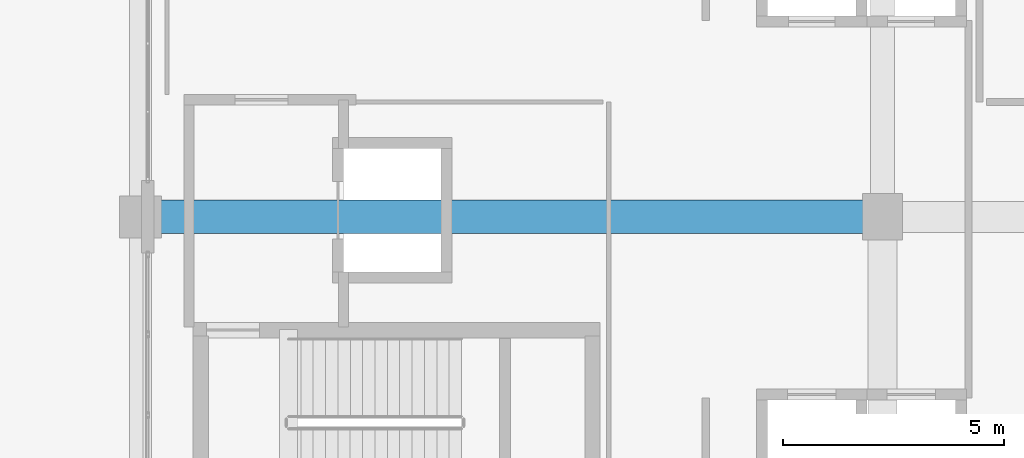
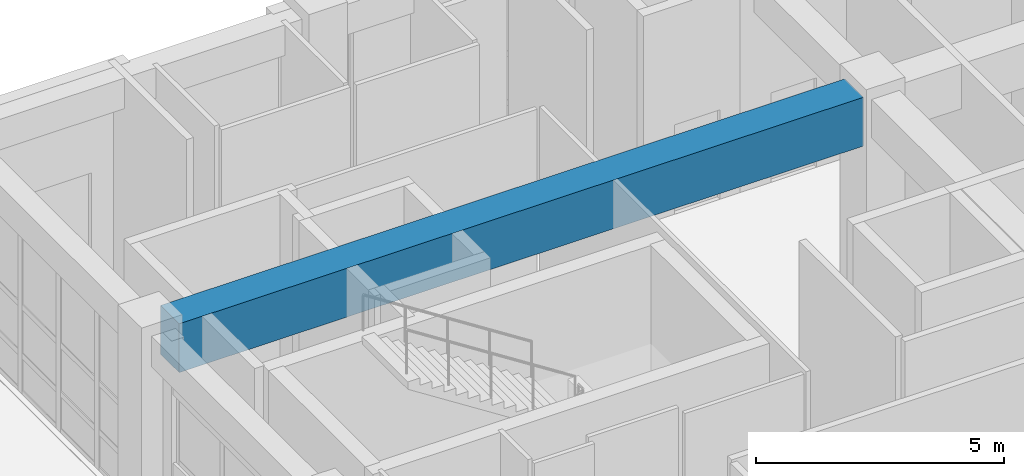
# One storey, part 57 of 148: 1 beam.
"""IFC4 building model written with IfcOpenShell, lengths in metres."""

from ifc_helpers import new_model, si_unit, direction, frame, origin, origin_2d, place, context, subcontext, project, spatial, rectangle, extrude, material, material_profile, profile_set, type_object, element, save


model = new_model("IFC4")

# Units and contexts
model_context = context("Model", 3, precision=1e-05, world=origin(), true_north=direction((0.0, 1.0)))
body_context = subcontext(model_context, "Body", "Model", "MODEL_VIEW")
ifc_project = project(units=[si_unit("LENGTHUNIT", "METRE"), si_unit("AREAUNIT", "SQUARE_METRE"), si_unit("VOLUMEUNIT", "CUBIC_METRE"), si_unit("PLANEANGLEUNIT", "RADIAN"), si_unit("MASSUNIT", "GRAM", prefix="KILO")], contexts=[model_context])

# Site, building, storey
site_placement = place(None, origin())
site = spatial("IfcSite", under=ifc_project, at=site_placement, CompositionType="ELEMENT")
building_placement = place(site_placement, origin())
building = spatial("IfcBuilding", under=site, at=building_placement, Name="Quendrovan Civic Courthouse", CompositionType="ELEMENT")
storey_placement = place(building_placement, origin())
storey = spatial("IfcBuildingStorey", under=building, at=storey_placement, Name="L01", CompositionType="ELEMENT", Elevation=0.0)

# Beam
ifc_material = material(Name="Post-tensioned concrete C50/60", Category="concrete")
ifc_material_profile = material_profile(ifc_material, rectangle(XDim=0.75, YDim=1.199951171875, at=origin_2d()), Name="PT-GIRD-750x1200")
ifc_profile_set = profile_set([ifc_material_profile], Name="Post-tensioned concrete C50/60")
beam_type = type_object("IfcBeamType", Name="BM-PT1200", PredefinedType="BEAM", material=ifc_profile_set)
beam_placement = place(storey_placement, frame((34.054931640625, 102.0, 4.52001953125), z_axis=(1.0, 0.0, 0.0), x_axis=(0.0, 1.0, 0.0)))
element("IfcBeam", 1, at=beam_placement, inside=storey, type_object=beam_type, Name="L01 Girder X0341", PredefinedType="BEAM", context=body_context, shape_type="SweptSolid", body=[
    extrude(rectangle(XDim=0.75, YDim=1.199951171875, at=origin_2d()), origin(), (0.0, 0.0, 1.0), 15.9150390625),
])

save(model, "model.ifc")
